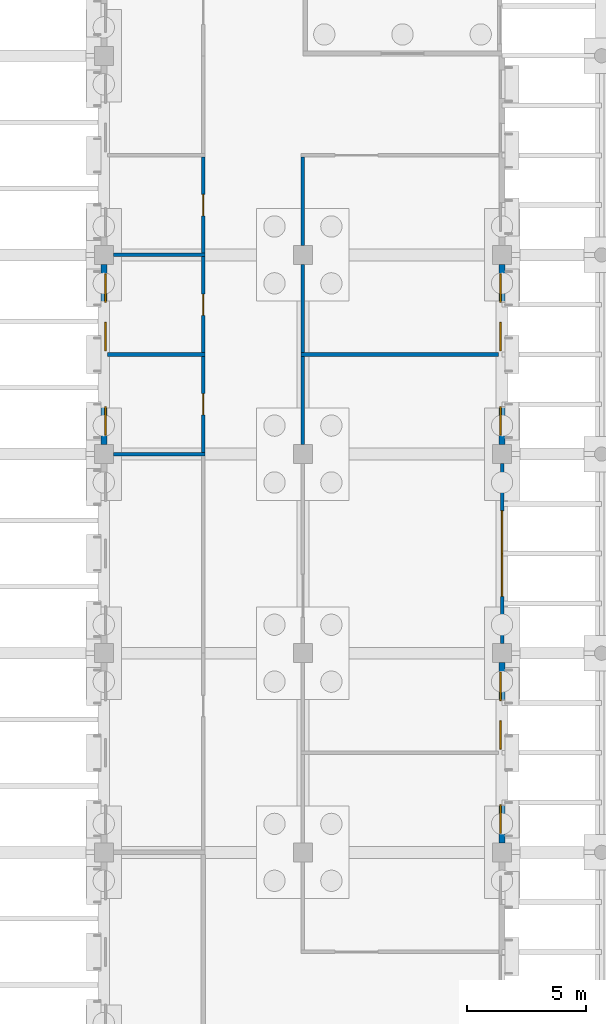
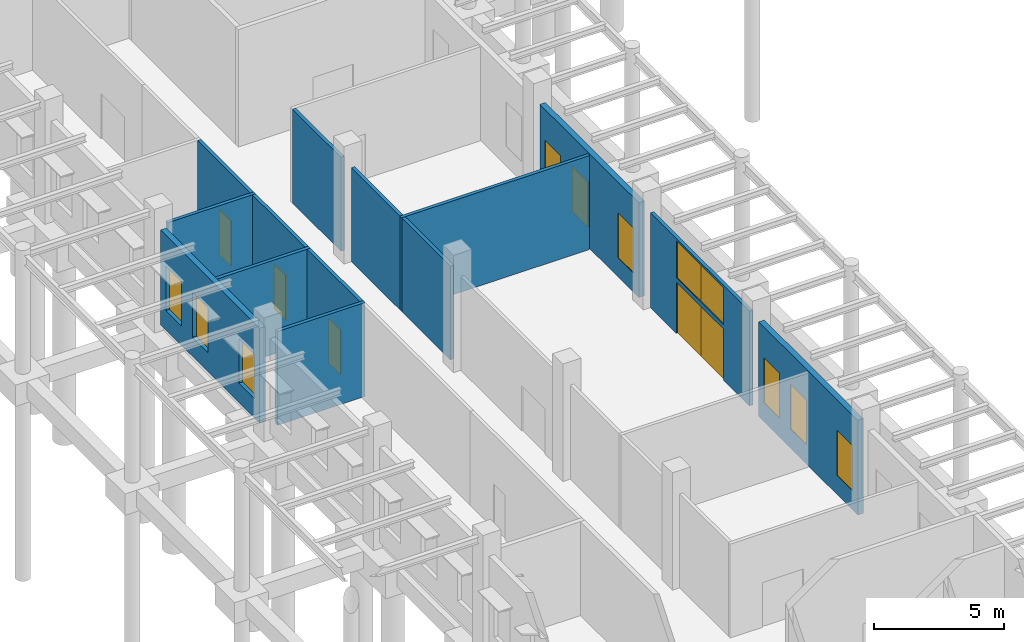
# One storey, part 28 of 82: 14 walls, 11 windows, 5 doors, 16 openings.
"""IFC4 building model written with IfcOpenShell, lengths in metres."""

from ifc_helpers import new_model, si_unit, direction, frame, frame_2d, origin, place, context, subcontext, project, spatial, rectangle, extrude, material, layer, layer_set, type_object, element, fill, save


model = new_model("IFC4")

# Units and contexts
model_context = context("Model", 3, precision=1e-05, world=origin(), true_north=direction((0.0, 1.0)))
body_context = subcontext(model_context, "Body", "Model", "MODEL_VIEW")
ifc_project = project(units=[si_unit("LENGTHUNIT", "METRE"), si_unit("AREAUNIT", "SQUARE_METRE"), si_unit("VOLUMEUNIT", "CUBIC_METRE"), si_unit("PLANEANGLEUNIT", "RADIAN"), si_unit("MASSUNIT", "GRAM", prefix="KILO")], contexts=[model_context])

# Site, building, storey
site_placement = place(None, origin())
site = spatial("IfcSite", under=ifc_project, at=site_placement, CompositionType="ELEMENT")
building_placement = place(site_placement, origin())
building = spatial("IfcBuilding", under=site, at=building_placement, Name="Almond Square Museum", CompositionType="ELEMENT")
storey_placement = place(building_placement, origin())
storey = spatial("IfcBuildingStorey", under=building, at=storey_placement, Name="L00", CompositionType="ELEMENT", Elevation=0.0)

# Wall, openings, windows, doors
ifc_material_1 = material(Name="Aluminium and laminated glass", Category="aluminium")
ifc_layer_1 = layer(ifc_material_1, 0.14990234375)
ifc_layer_set_1 = layer_set([ifc_layer_1], Name="Aluminium and laminated glass")
wall_type_1 = type_object("IfcWallType", Name="Glazed entrance screen 150", PredefinedType="ELEMENTEDWALL", material=ifc_layer_set_1)
wall_1_placement = place(storey_placement, frame((22.800048828125, 42.39990234375, 0.0), z_axis=(0.0, 0.0, 1.0), x_axis=(0.0, 1.0, 0.0)))
wall_1 = element("IfcWall", 1, at=wall_1_placement, inside=storey, type_object=wall_type_1, Name="External wall W6 V4W L00 E03", PredefinedType="ELEMENTEDWALL", context=body_context, shape_type="SweptSolid", body=[
    extrude(rectangle(XDim=7.60009765625, YDim=0.14990234375, at=frame_2d((3.800048828125, 0.0))), origin(), (0.0, 0.0, 1.0), 4.43994140625),
])
opening_1_placement = place(wall_1_placement, frame((2.0, 0.0, 0.0)))
opening_1 = element("IfcOpeningElement", 2, at=opening_1_placement, cuts=wall_1, Name="Opening D004", PredefinedType="OPENING", context=body_context, shape_type="SweptSolid", body=[
    extrude(rectangle(XDim=1.800048828125, YDim=2.39990234375, at=frame_2d((0.89990234375, 1.199951171875))), frame((0.0, 0.0849609375, 0.0), z_axis=(0.0, -1.0, 0.0), x_axis=(1.0, 0.0, 0.0)), (0.0, 0.0, 1.0), 0.169921875),
])
opening_2_placement = place(wall_1_placement, frame((2.0, 0.0, 2.60009765625)))
opening_2 = element("IfcOpeningElement", 3, at=opening_2_placement, cuts=wall_1, Name="Opening W0041", PredefinedType="OPENING", context=body_context, shape_type="SweptSolid", body=[
    extrude(rectangle(XDim=1.800048828125, YDim=1.739990234375, at=frame_2d((0.89990234375, 0.8701171875))), frame((0.0, 0.0849609375, 0.0), z_axis=(0.0, -1.0, 0.0), x_axis=(1.0, 0.0, 0.0)), (0.0, 0.0, 1.0), 0.169921875),
])
opening_3_placement = place(wall_1_placement, frame((3.800048828125, 0.0, 0.0)))
opening_3 = element("IfcOpeningElement", 4, at=opening_3_placement, cuts=wall_1, Name="Opening D005", PredefinedType="OPENING", context=body_context, shape_type="SweptSolid", body=[
    extrude(rectangle(XDim=1.800048828125, YDim=2.39990234375, at=frame_2d((0.89990234375, 1.199951171875))), frame((0.0, 0.0849609375, 0.0), z_axis=(0.0, -1.0, 0.0), x_axis=(1.0, 0.0, 0.0)), (0.0, 0.0, 1.0), 0.169921875),
])
opening_4_placement = place(wall_1_placement, frame((3.800048828125, 0.0, 2.60009765625)))
opening_4 = element("IfcOpeningElement", 5, at=opening_4_placement, cuts=wall_1, Name="Opening W0042", PredefinedType="OPENING", context=body_context, shape_type="SweptSolid", body=[
    extrude(rectangle(XDim=1.800048828125, YDim=1.739990234375, at=frame_2d((0.89990234375, 0.8701171875))), frame((0.0, 0.0849609375, 0.0), z_axis=(0.0, -1.0, 0.0), x_axis=(1.0, 0.0, 0.0)), (0.0, 0.0, 1.0), 0.169921875),
])
ifc_material_2 = material(Name="Aluminium frame and laminated glass", Category="aluminium")
window_type_1 = type_object("IfcWindowType", Name="Entrance fanlight 1740 high", PartitioningType="SINGLE_PANEL", PredefinedType="WINDOW", material=ifc_material_2)
window_1_placement = place(opening_2_placement, origin())
window_1 = element("IfcWindow", 6, at=window_1_placement, inside=storey, type_object=window_type_1, Name="Entrance fanlight W0041", OverallHeight=1.739990234375, OverallWidth=1.800048828125, PartitioningType="SINGLE_PANEL", PredefinedType="WINDOW", context=body_context, shape_type="SweptSolid", body=[
    extrude(rectangle(XDim=1.800048828125, YDim=1.739990234375, at=frame_2d((0.89990234375, 0.8701171875))), frame((0.0, 0.030029296875, 0.0), z_axis=(0.0, -1.0, 0.0), x_axis=(1.0, 0.0, 0.0)), (0.0, 0.0, 1.0), 0.06005859375),
])
fill(opening_2, window_1)
window_2_placement = place(opening_4_placement, origin())
window_2 = element("IfcWindow", 7, at=window_2_placement, inside=storey, type_object=window_type_1, Name="Entrance fanlight W0042", OverallHeight=1.739990234375, OverallWidth=1.800048828125, PartitioningType="SINGLE_PANEL", PredefinedType="WINDOW", context=body_context, shape_type="SweptSolid", body=[
    extrude(rectangle(XDim=1.800048828125, YDim=1.739990234375, at=frame_2d((0.89990234375, 0.8701171875))), frame((0.0, 0.030029296875, 0.0), z_axis=(0.0, -1.0, 0.0), x_axis=(1.0, 0.0, 0.0)), (0.0, 0.0, 1.0), 0.06005859375),
])
fill(opening_4, window_2)
ifc_material_3 = material(Name="Aluminium frame and laminated glass", Category="aluminium")
door_type_1 = type_object("IfcDoorType", Name="Glazed entrance door pair 1800 x 2400", OperationType="NOTDEFINED", PredefinedType="DOOR", material=ifc_material_3)
door_1_placement = place(opening_1_placement, origin())
door_1 = element("IfcDoor", 8, at=door_1_placement, inside=storey, type_object=door_type_1, Name="Learning Entrance door D004", OperationType="DOUBLE_DOOR_SINGLE_SWING", OverallHeight=2.39990234375, OverallWidth=1.800048828125, PredefinedType="DOOR", context=body_context, shape_type="SweptSolid", body=[
    extrude(rectangle(XDim=1.800048828125, YDim=2.39990234375, at=frame_2d((0.89990234375, 1.199951171875))), frame((0.0, 0.02490234375, 0.0), z_axis=(0.0, -1.0, 0.0), x_axis=(1.0, 0.0, 0.0)), (0.0, 0.0, 1.0), 0.050048828125),
])
fill(opening_1, door_1)
door_2_placement = place(opening_3_placement, origin())
door_2 = element("IfcDoor", 9, at=door_2_placement, inside=storey, type_object=door_type_1, Name="Learning Entrance door D005", OperationType="DOUBLE_DOOR_SINGLE_SWING", OverallHeight=2.39990234375, OverallWidth=1.800048828125, PredefinedType="DOOR", context=body_context, shape_type="SweptSolid", body=[
    extrude(rectangle(XDim=1.800048828125, YDim=2.39990234375, at=frame_2d((0.89990234375, 1.199951171875))), frame((0.0, 0.02490234375, 0.0), z_axis=(0.0, -1.0, 0.0), x_axis=(1.0, 0.0, 0.0)), (0.0, 0.0, 1.0), 0.050048828125),
])
fill(opening_3, door_2)

# Wall
ifc_material_4 = material(Name="Plasterboard on steel stud", Category="steel")
ifc_layer_2 = layer(ifc_material_4, 0.14990234375)
ifc_layer_set_2 = layer_set([ifc_layer_2], Name="Plasterboard on steel stud")
wall_type_2 = type_object("IfcWallType", Name="Partition 150 plasterboard on steel stud", PredefinedType="PARTITIONING", material=ifc_layer_set_2)
wall_2_placement = place(storey_placement, frame((6.39990234375, 58.800048828125, 0.0), z_axis=(0.0, 0.0, 1.0), x_axis=(1.0, 0.0, 0.0)))
element("IfcWall", 10, at=wall_2_placement, inside=storey, type_object=wall_type_2, Name="L00 partition 41", PredefinedType="PARTITIONING", context=body_context, shape_type="SweptSolid", body=[
    extrude(rectangle(XDim=3.875, YDim=0.14990234375, at=frame_2d((1.9375, 0.0))), origin(), (0.0, 0.0, 1.0), 4.39990234375),
])

# Wall, opening, door
wall_3_placement = place(storey_placement, frame((10.199951171875, 58.875, 0.0), z_axis=(0.0, 0.0, 1.0), x_axis=(0.0, 1.0, 0.0)))
wall_3 = element("IfcWall", 11, at=wall_3_placement, inside=storey, type_object=wall_type_2, Name="L00 partition 42", PredefinedType="PARTITIONING", context=body_context, shape_type="SweptSolid", body=[
    extrude(rectangle(XDim=4.050048828125, YDim=0.14990234375, at=frame_2d((2.02490234375, 0.0))), origin(), (0.0, 0.0, 1.0), 4.39990234375),
])
opening_5_placement = place(wall_3_placement, frame((1.574951171875, 0.0, 0.0)))
opening_5 = element("IfcOpeningElement", 12, at=opening_5_placement, cuts=wall_3, Name="Opening D0112", PredefinedType="OPENING", context=body_context, shape_type="SweptSolid", body=[
    extrude(rectangle(XDim=0.89990234375, YDim=2.10009765625, at=frame_2d((0.449951171875, 1.050048828125))), frame((0.0, 0.0849609375, 0.0), z_axis=(0.0, -1.0, 0.0), x_axis=(1.0, 0.0, 0.0)), (0.0, 0.0, 1.0), 0.169921875),
])
ifc_material_5 = material(Name="Timber", Category="wood")
door_type_2 = type_object("IfcDoorType", Name="Door 900 x 2100 timber single", OperationType="NOTDEFINED", PredefinedType="DOOR", material=ifc_material_5)
door_3_placement = place(opening_5_placement, origin())
door_3 = element("IfcDoor", 13, at=door_3_placement, inside=storey, type_object=door_type_2, Name="L00 door Accessible WC 2 to Wing Corridor", OperationType="SINGLE_SWING_LEFT", OverallHeight=2.10009765625, OverallWidth=0.89990234375, PredefinedType="DOOR", context=body_context, shape_type="SweptSolid", body=[
    extrude(rectangle(XDim=0.89990234375, YDim=2.10009765625, at=frame_2d((0.449951171875, 1.050048828125))), frame((0.0, 0.02490234375, 0.0), z_axis=(0.0, -1.0, 0.0), x_axis=(1.0, 0.0, 0.0)), (0.0, 0.0, 1.0), 0.050048828125),
])
fill(opening_5, door_3)

# Wall
wall_4_placement = place(storey_placement, frame((6.14990234375, 54.60009765625, 0.0), z_axis=(0.0, 0.0, 1.0), x_axis=(1.0, 0.0, 0.0)))
element("IfcWall", 14, at=wall_4_placement, inside=storey, type_object=wall_type_2, Name="L00 partition 43", PredefinedType="PARTITIONING", context=body_context, shape_type="SweptSolid", body=[
    extrude(rectangle(XDim=4.125, YDim=0.14990234375, at=frame_2d((2.0625, 0.0))), origin(), (0.0, 0.0, 1.0), 4.39990234375),
])

# Wall, opening, door
wall_5_placement = place(storey_placement, frame((10.199951171875, 54.675048828125, 0.0), z_axis=(0.0, 0.0, 1.0), x_axis=(0.0, 1.0, 0.0)))
wall_5 = element("IfcWall", 15, at=wall_5_placement, inside=storey, type_object=wall_type_2, Name="L00 partition 44", PredefinedType="PARTITIONING", context=body_context, shape_type="SweptSolid", body=[
    extrude(rectangle(XDim=4.050048828125, YDim=0.14990234375, at=frame_2d((2.02490234375, 0.0))), origin(), (0.0, 0.0, 1.0), 4.39990234375),
])
opening_6_placement = place(wall_5_placement, frame((1.574951171875, 0.0, 0.0)))
opening_6 = element("IfcOpeningElement", 16, at=opening_6_placement, cuts=wall_5, Name="Opening D0113", PredefinedType="OPENING", context=body_context, shape_type="SweptSolid", body=[
    extrude(rectangle(XDim=0.89990234375, YDim=2.10009765625, at=frame_2d((0.449951171875, 1.050048828125))), frame((0.0, 0.0849609375, 0.0), z_axis=(0.0, -1.0, 0.0), x_axis=(1.0, 0.0, 0.0)), (0.0, 0.0, 1.0), 0.169921875),
])
door_4_placement = place(opening_6_placement, origin())
door_4 = element("IfcDoor", 17, at=door_4_placement, inside=storey, type_object=door_type_2, Name="L00 door Men's WC 2 to Wing Corridor", OperationType="SINGLE_SWING_LEFT", OverallHeight=2.10009765625, OverallWidth=0.89990234375, PredefinedType="DOOR", context=body_context, shape_type="SweptSolid", body=[
    extrude(rectangle(XDim=0.89990234375, YDim=2.10009765625, at=frame_2d((0.449951171875, 1.050048828125))), frame((0.0, 0.02490234375, 0.0), z_axis=(0.0, -1.0, 0.0), x_axis=(1.0, 0.0, 0.0)), (0.0, 0.0, 1.0), 0.050048828125),
])
fill(opening_6, door_4)

# Walls
wall_6_placement = place(storey_placement, frame((14.39990234375, 54.675048828125, 0.0), z_axis=(0.0, 0.0, 1.0), x_axis=(0.0, 1.0, 0.0)))
element("IfcWall", 18, at=wall_6_placement, inside=storey, type_object=wall_type_2, Name="L00 partition 46", PredefinedType="PARTITIONING", context=body_context, shape_type="SweptSolid", body=[
    extrude(rectangle(XDim=3.724853515625, YDim=0.14990234375, at=frame_2d((1.8623046875, 0.0))), origin(), (0.0, 0.0, 1.0), 4.39990234375),
])
wall_7_placement = place(storey_placement, frame((14.39990234375, 59.199951171875, 0.0), z_axis=(0.0, 0.0, 1.0), x_axis=(0.0, 1.0, 0.0)))
element("IfcWall", 19, at=wall_7_placement, inside=storey, type_object=wall_type_2, Name="L00 partition 47", PredefinedType="PARTITIONING", context=body_context, shape_type="SweptSolid", body=[
    extrude(rectangle(XDim=3.72509765625, YDim=0.14990234375, at=frame_2d((1.862548828125, 0.0))), origin(), (0.0, 0.0, 1.0), 4.39990234375),
])
wall_8_placement = place(storey_placement, frame((14.324951171875, 54.60009765625, 0.0), z_axis=(0.0, 0.0, 1.0), x_axis=(1.0, 0.0, 0.0)))
element("IfcWall", 20, at=wall_8_placement, inside=storey, type_object=wall_type_2, Name="L00 partition 48", PredefinedType="PARTITIONING", context=body_context, shape_type="SweptSolid", body=[
    extrude(rectangle(XDim=8.324951171875, YDim=0.14990234375, at=frame_2d((4.16259765625, 0.0))), origin(), (0.0, 0.0, 1.0), 4.39990234375),
])

# Wall, opening, door
wall_9_placement = place(storey_placement, frame((10.199951171875, 50.47509765625, 0.0), z_axis=(0.0, 0.0, 1.0), x_axis=(0.0, 1.0, 0.0)))
wall_9 = element("IfcWall", 21, at=wall_9_placement, inside=storey, type_object=wall_type_2, Name="L00 partition 49", PredefinedType="PARTITIONING", context=body_context, shape_type="SweptSolid", body=[
    extrude(rectangle(XDim=4.0498046875, YDim=0.14990234375, at=frame_2d((2.02490234375, 0.0))), origin(), (0.0, 0.0, 1.0), 4.39990234375),
])
opening_7_placement = place(wall_9_placement, frame((1.574951171875, 0.0, 0.0)))
opening_7 = element("IfcOpeningElement", 22, at=opening_7_placement, cuts=wall_9, Name="Opening D0115", PredefinedType="OPENING", context=body_context, shape_type="SweptSolid", body=[
    extrude(rectangle(XDim=0.89990234375, YDim=2.10009765625, at=frame_2d((0.449951171875, 1.050048828125))), frame((0.0, 0.0849609375, 0.0), z_axis=(0.0, -1.0, 0.0), x_axis=(1.0, 0.0, 0.0)), (0.0, 0.0, 1.0), 0.169921875),
])
door_5_placement = place(opening_7_placement, origin())
door_5 = element("IfcDoor", 23, at=door_5_placement, inside=storey, type_object=door_type_2, Name="L00 door Women's WC 2 to Wing Corridor", OperationType="SINGLE_SWING_LEFT", OverallHeight=2.10009765625, OverallWidth=0.89990234375, PredefinedType="DOOR", context=body_context, shape_type="SweptSolid", body=[
    extrude(rectangle(XDim=0.89990234375, YDim=2.10009765625, at=frame_2d((0.449951171875, 1.050048828125))), frame((0.0, 0.02490234375, 0.0), z_axis=(0.0, -1.0, 0.0), x_axis=(1.0, 0.0, 0.0)), (0.0, 0.0, 1.0), 0.050048828125),
])
fill(opening_7, door_5)

# Walls
wall_10_placement = place(storey_placement, frame((6.39990234375, 50.39990234375, 0.0), z_axis=(0.0, 0.0, 1.0), x_axis=(1.0, 0.0, 0.0)))
element("IfcWall", 24, at=wall_10_placement, inside=storey, type_object=wall_type_2, Name="L00 partition 50", PredefinedType="PARTITIONING", context=body_context, shape_type="SweptSolid", body=[
    extrude(rectangle(XDim=3.875, YDim=0.14990234375, at=frame_2d((1.9375, 0.0))), origin(), (0.0, 0.0, 1.0), 4.39990234375),
])
wall_11_placement = place(storey_placement, frame((14.39990234375, 50.800048828125, 0.0), z_axis=(0.0, 0.0, 1.0), x_axis=(0.0, 1.0, 0.0)))
element("IfcWall", 25, at=wall_11_placement, inside=storey, type_object=wall_type_2, Name="L00 partition 53", PredefinedType="PARTITIONING", context=body_context, shape_type="SweptSolid", body=[
    extrude(rectangle(XDim=3.724853515625, YDim=0.14990234375, at=frame_2d((1.8623046875, 0.0))), origin(), (0.0, 0.0, 1.0), 4.39990234375),
])

# Wall, openings, windows
ifc_material_6 = material(Name="Precast concrete C40/50", Category="concrete")
ifc_layer_3 = layer(ifc_material_6, 0.25)
ifc_layer_set_3 = layer_set([ifc_layer_3], Name="Precast concrete C40/50")
wall_type_3 = type_object("IfcWallType", Name="Precast concrete panel wall 250 with coral limestone piers", PredefinedType="SOLIDWALL", material=ifc_layer_set_3)
wall_12_placement = place(storey_placement, frame((22.800048828125, 34.0, 0.0), z_axis=(0.0, 0.0, 1.0), x_axis=(0.0, 1.0, 0.0)))
wall_12 = element("IfcWall", 26, at=wall_12_placement, inside=storey, type_object=wall_type_3, Name="External wall W2 V4W L00 E02", PredefinedType="SOLIDWALL", context=body_context, shape_type="SweptSolid", body=[
    extrude(rectangle(XDim=7.60009765625, YDim=0.25, at=frame_2d((3.800048828125, 0.0))), origin(), (0.0, 0.0, 1.0), 4.43994140625),
])
opening_8_placement = place(wall_12_placement, frame((0.39990234375, 0.0, 0.89990234375)))
opening_8 = element("IfcOpeningElement", 27, at=opening_8_placement, cuts=wall_12, Name="Opening W0038", PredefinedType="OPENING", context=body_context, shape_type="SweptSolid", body=[
    extrude(rectangle(XDim=1.199951171875, YDim=2.10009765625, at=frame_2d((0.60009765625, 1.050048828125))), frame((0.0, 0.135009765625, 0.0), z_axis=(0.0, -1.0, 0.0), x_axis=(1.0, 0.0, 0.0)), (0.0, 0.0, 1.0), 0.27001953125),
])
opening_9_placement = place(wall_12_placement, frame((3.949951171875, 0.0, 0.89990234375)))
opening_9 = element("IfcOpeningElement", 28, at=opening_9_placement, cuts=wall_12, Name="Opening W0039", PredefinedType="OPENING", context=body_context, shape_type="SweptSolid", body=[
    extrude(rectangle(XDim=1.199951171875, YDim=2.10009765625, at=frame_2d((0.60009765625, 1.050048828125))), frame((0.0, 0.135009765625, 0.0), z_axis=(0.0, -1.0, 0.0), x_axis=(1.0, 0.0, 0.0)), (0.0, 0.0, 1.0), 0.27001953125),
])
opening_10_placement = place(wall_12_placement, frame((6.0, 0.0, 0.89990234375)))
opening_10 = element("IfcOpeningElement", 29, at=opening_10_placement, cuts=wall_12, Name="Opening W0040", PredefinedType="OPENING", context=body_context, shape_type="SweptSolid", body=[
    extrude(rectangle(XDim=1.199951171875, YDim=2.10009765625, at=frame_2d((0.60009765625, 1.050048828125))), frame((0.0, 0.135009765625, 0.0), z_axis=(0.0, -1.0, 0.0), x_axis=(1.0, 0.0, 0.0)), (0.0, 0.0, 1.0), 0.27001953125),
])
ifc_material_7 = material(Name="Anodised aluminium louvre and laminated glass", Category="aluminium")
window_type_2 = type_object("IfcWindowType", Name="Louvred pier window", PartitioningType="SINGLE_PANEL", PredefinedType="WINDOW", material=ifc_material_7)
window_3_placement = place(opening_8_placement, origin())
window_3 = element("IfcWindow", 30, at=window_3_placement, inside=storey, type_object=window_type_2, Name="Louvred pier window W0038", OverallHeight=2.10009765625, OverallWidth=1.199951171875, PartitioningType="SINGLE_PANEL", PredefinedType="WINDOW", context=body_context, shape_type="SweptSolid", body=[
    extrude(rectangle(XDim=1.199951171875, YDim=2.10009765625, at=frame_2d((0.60009765625, 1.050048828125))), frame((0.0, 0.10498046875, 0.0), z_axis=(0.0, -1.0, 0.0), x_axis=(1.0, 0.0, 0.0)), (0.0, 0.0, 1.0), 0.06005859375),
])
fill(opening_8, window_3)
window_4_placement = place(opening_9_placement, origin())
window_4 = element("IfcWindow", 31, at=window_4_placement, inside=storey, type_object=window_type_2, Name="Louvred pier window W0039", OverallHeight=2.10009765625, OverallWidth=1.199951171875, PartitioningType="SINGLE_PANEL", PredefinedType="WINDOW", context=body_context, shape_type="SweptSolid", body=[
    extrude(rectangle(XDim=1.199951171875, YDim=2.10009765625, at=frame_2d((0.60009765625, 1.050048828125))), frame((0.0, 0.10498046875, 0.0), z_axis=(0.0, -1.0, 0.0), x_axis=(1.0, 0.0, 0.0)), (0.0, 0.0, 1.0), 0.06005859375),
])
fill(opening_9, window_4)
window_5_placement = place(opening_10_placement, origin())
window_5 = element("IfcWindow", 32, at=window_5_placement, inside=storey, type_object=window_type_2, Name="Louvred pier window W0040", OverallHeight=2.10009765625, OverallWidth=1.199951171875, PartitioningType="SINGLE_PANEL", PredefinedType="WINDOW", context=body_context, shape_type="SweptSolid", body=[
    extrude(rectangle(XDim=1.199951171875, YDim=2.10009765625, at=frame_2d((0.60009765625, 1.050048828125))), frame((0.0, 0.10498046875, 0.0), z_axis=(0.0, -1.0, 0.0), x_axis=(1.0, 0.0, 0.0)), (0.0, 0.0, 1.0), 0.06005859375),
])
fill(opening_10, window_5)

wall_13_placement = place(storey_placement, frame((22.800048828125, 50.800048828125, 0.0), z_axis=(0.0, 0.0, 1.0), x_axis=(0.0, 1.0, 0.0)))
wall_13 = element("IfcWall", 33, at=wall_13_placement, inside=storey, type_object=wall_type_3, Name="External wall W2 V4W L00 E04", PredefinedType="SOLIDWALL", context=body_context, shape_type="SweptSolid", body=[
    extrude(rectangle(XDim=7.599853515625, YDim=0.25, at=frame_2d((3.7998046875, 0.0))), origin(), (0.0, 0.0, 1.0), 4.43994140625),
])
opening_11_placement = place(wall_13_placement, frame((0.39990234375, 0.0, 0.89990234375)))
opening_11 = element("IfcOpeningElement", 34, at=opening_11_placement, cuts=wall_13, Name="Opening W0043", PredefinedType="OPENING", context=body_context, shape_type="SweptSolid", body=[
    extrude(rectangle(XDim=1.199951171875, YDim=2.10009765625, at=frame_2d((0.60009765625, 1.050048828125))), frame((0.0, 0.135009765625, 0.0), z_axis=(0.0, -1.0, 0.0), x_axis=(1.0, 0.0, 0.0)), (0.0, 0.0, 1.0), 0.27001953125),
])
opening_12_placement = place(wall_13_placement, frame((3.949951171875, 0.0, 0.89990234375)))
opening_12 = element("IfcOpeningElement", 35, at=opening_12_placement, cuts=wall_13, Name="Opening W0044", PredefinedType="OPENING", context=body_context, shape_type="SweptSolid", body=[
    extrude(rectangle(XDim=1.199951171875, YDim=2.10009765625, at=frame_2d((0.60009765625, 1.050048828125))), frame((0.0, 0.135009765625, 0.0), z_axis=(0.0, -1.0, 0.0), x_axis=(1.0, 0.0, 0.0)), (0.0, 0.0, 1.0), 0.27001953125),
])
opening_13_placement = place(wall_13_placement, frame((6.0, 0.0, 0.89990234375)))
opening_13 = element("IfcOpeningElement", 36, at=opening_13_placement, cuts=wall_13, Name="Opening W0045", PredefinedType="OPENING", context=body_context, shape_type="SweptSolid", body=[
    extrude(rectangle(XDim=1.199951171875, YDim=2.10009765625, at=frame_2d((0.60009765625, 1.050048828125))), frame((0.0, 0.135009765625, 0.0), z_axis=(0.0, -1.0, 0.0), x_axis=(1.0, 0.0, 0.0)), (0.0, 0.0, 1.0), 0.27001953125),
])
window_6_placement = place(opening_11_placement, origin())
window_6 = element("IfcWindow", 37, at=window_6_placement, inside=storey, type_object=window_type_2, Name="Louvred pier window W0043", OverallHeight=2.10009765625, OverallWidth=1.199951171875, PartitioningType="SINGLE_PANEL", PredefinedType="WINDOW", context=body_context, shape_type="SweptSolid", body=[
    extrude(rectangle(XDim=1.199951171875, YDim=2.10009765625, at=frame_2d((0.60009765625, 1.050048828125))), frame((0.0, 0.10498046875, 0.0), z_axis=(0.0, -1.0, 0.0), x_axis=(1.0, 0.0, 0.0)), (0.0, 0.0, 1.0), 0.06005859375),
])
fill(opening_11, window_6)
window_7_placement = place(opening_12_placement, origin())
window_7 = element("IfcWindow", 38, at=window_7_placement, inside=storey, type_object=window_type_2, Name="Louvred pier window W0044", OverallHeight=2.10009765625, OverallWidth=1.199951171875, PartitioningType="SINGLE_PANEL", PredefinedType="WINDOW", context=body_context, shape_type="SweptSolid", body=[
    extrude(rectangle(XDim=1.199951171875, YDim=2.10009765625, at=frame_2d((0.60009765625, 1.050048828125))), frame((0.0, 0.10498046875, 0.0), z_axis=(0.0, -1.0, 0.0), x_axis=(1.0, 0.0, 0.0)), (0.0, 0.0, 1.0), 0.06005859375),
])
fill(opening_12, window_7)
window_8_placement = place(opening_13_placement, origin())
window_8 = element("IfcWindow", 39, at=window_8_placement, inside=storey, type_object=window_type_2, Name="Louvred pier window W0045", OverallHeight=2.10009765625, OverallWidth=1.199951171875, PartitioningType="SINGLE_PANEL", PredefinedType="WINDOW", context=body_context, shape_type="SweptSolid", body=[
    extrude(rectangle(XDim=1.199951171875, YDim=2.10009765625, at=frame_2d((0.60009765625, 1.050048828125))), frame((0.0, 0.10498046875, 0.0), z_axis=(0.0, -1.0, 0.0), x_axis=(1.0, 0.0, 0.0)), (0.0, 0.0, 1.0), 0.06005859375),
])
fill(opening_13, window_8)

wall_14_placement = place(storey_placement, frame((6.0, 50.800048828125, 0.0), z_axis=(0.0, 0.0, 1.0), x_axis=(0.0, 1.0, 0.0)))
wall_14 = element("IfcWall", 40, at=wall_14_placement, inside=storey, type_object=wall_type_3, Name="External wall W2 V4W L00 W03", PredefinedType="SOLIDWALL", context=body_context, shape_type="SweptSolid", body=[
    extrude(rectangle(XDim=7.599853515625, YDim=0.25, at=frame_2d((3.7998046875, 0.0))), origin(), (0.0, 0.0, 1.0), 4.43994140625),
])
opening_14_placement = place(wall_14_placement, frame((0.39990234375, 0.0, 0.89990234375)))
opening_14 = element("IfcOpeningElement", 41, at=opening_14_placement, cuts=wall_14, Name="Opening W0128", PredefinedType="OPENING", context=body_context, shape_type="SweptSolid", body=[
    extrude(rectangle(XDim=1.199951171875, YDim=2.10009765625, at=frame_2d((0.60009765625, 1.050048828125))), frame((0.0, 0.135009765625, 0.0), z_axis=(0.0, -1.0, 0.0), x_axis=(1.0, 0.0, 0.0)), (0.0, 0.0, 1.0), 0.27001953125),
])
opening_15_placement = place(wall_14_placement, frame((3.949951171875, 0.0, 0.89990234375)))
opening_15 = element("IfcOpeningElement", 42, at=opening_15_placement, cuts=wall_14, Name="Opening W0129", PredefinedType="OPENING", context=body_context, shape_type="SweptSolid", body=[
    extrude(rectangle(XDim=1.199951171875, YDim=2.10009765625, at=frame_2d((0.60009765625, 1.050048828125))), frame((0.0, 0.135009765625, 0.0), z_axis=(0.0, -1.0, 0.0), x_axis=(1.0, 0.0, 0.0)), (0.0, 0.0, 1.0), 0.27001953125),
])
opening_16_placement = place(wall_14_placement, frame((6.0, 0.0, 0.89990234375)))
opening_16 = element("IfcOpeningElement", 43, at=opening_16_placement, cuts=wall_14, Name="Opening W0130", PredefinedType="OPENING", context=body_context, shape_type="SweptSolid", body=[
    extrude(rectangle(XDim=1.199951171875, YDim=2.10009765625, at=frame_2d((0.60009765625, 1.050048828125))), frame((0.0, 0.135009765625, 0.0), z_axis=(0.0, -1.0, 0.0), x_axis=(1.0, 0.0, 0.0)), (0.0, 0.0, 1.0), 0.27001953125),
])
window_9_placement = place(opening_14_placement, origin())
window_9 = element("IfcWindow", 44, at=window_9_placement, inside=storey, type_object=window_type_2, Name="Louvred pier window W0128", OverallHeight=2.10009765625, OverallWidth=1.199951171875, PartitioningType="SINGLE_PANEL", PredefinedType="WINDOW", context=body_context, shape_type="SweptSolid", body=[
    extrude(rectangle(XDim=1.199951171875, YDim=2.10009765625, at=frame_2d((0.60009765625, 1.050048828125))), frame((0.0, -0.044921875, 0.0), z_axis=(0.0, -1.0, 0.0), x_axis=(1.0, 0.0, 0.0)), (0.0, 0.0, 1.0), 0.06005859375),
])
fill(opening_14, window_9)
window_10_placement = place(opening_15_placement, origin())
window_10 = element("IfcWindow", 45, at=window_10_placement, inside=storey, type_object=window_type_2, Name="Louvred pier window W0129", OverallHeight=2.10009765625, OverallWidth=1.199951171875, PartitioningType="SINGLE_PANEL", PredefinedType="WINDOW", context=body_context, shape_type="SweptSolid", body=[
    extrude(rectangle(XDim=1.199951171875, YDim=2.10009765625, at=frame_2d((0.60009765625, 1.050048828125))), frame((0.0, -0.044921875, 0.0), z_axis=(0.0, -1.0, 0.0), x_axis=(1.0, 0.0, 0.0)), (0.0, 0.0, 1.0), 0.06005859375),
])
fill(opening_15, window_10)
window_11_placement = place(opening_16_placement, origin())
window_11 = element("IfcWindow", 46, at=window_11_placement, inside=storey, type_object=window_type_2, Name="Louvred pier window W0130", OverallHeight=2.10009765625, OverallWidth=1.199951171875, PartitioningType="SINGLE_PANEL", PredefinedType="WINDOW", context=body_context, shape_type="SweptSolid", body=[
    extrude(rectangle(XDim=1.199951171875, YDim=2.10009765625, at=frame_2d((0.60009765625, 1.050048828125))), frame((0.0, -0.044921875, 0.0), z_axis=(0.0, -1.0, 0.0), x_axis=(1.0, 0.0, 0.0)), (0.0, 0.0, 1.0), 0.06005859375),
])
fill(opening_16, window_11)

save(model, "model.ifc")
